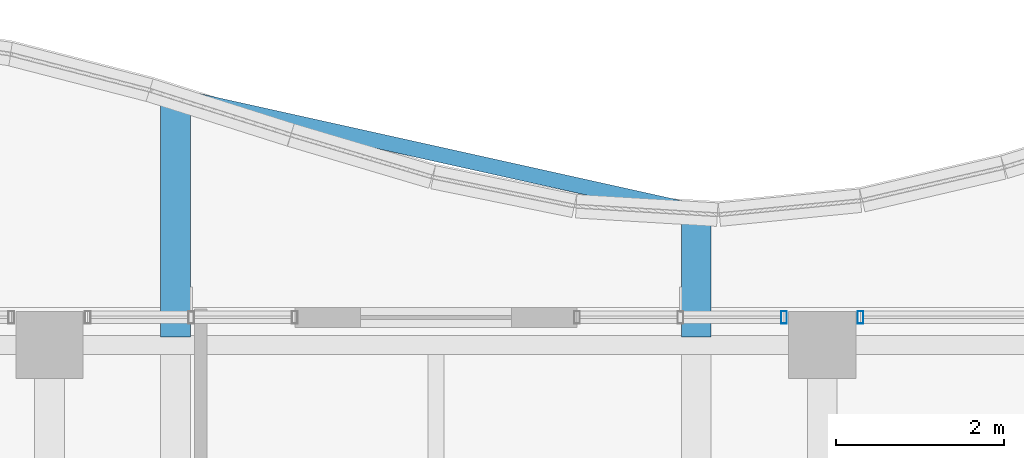
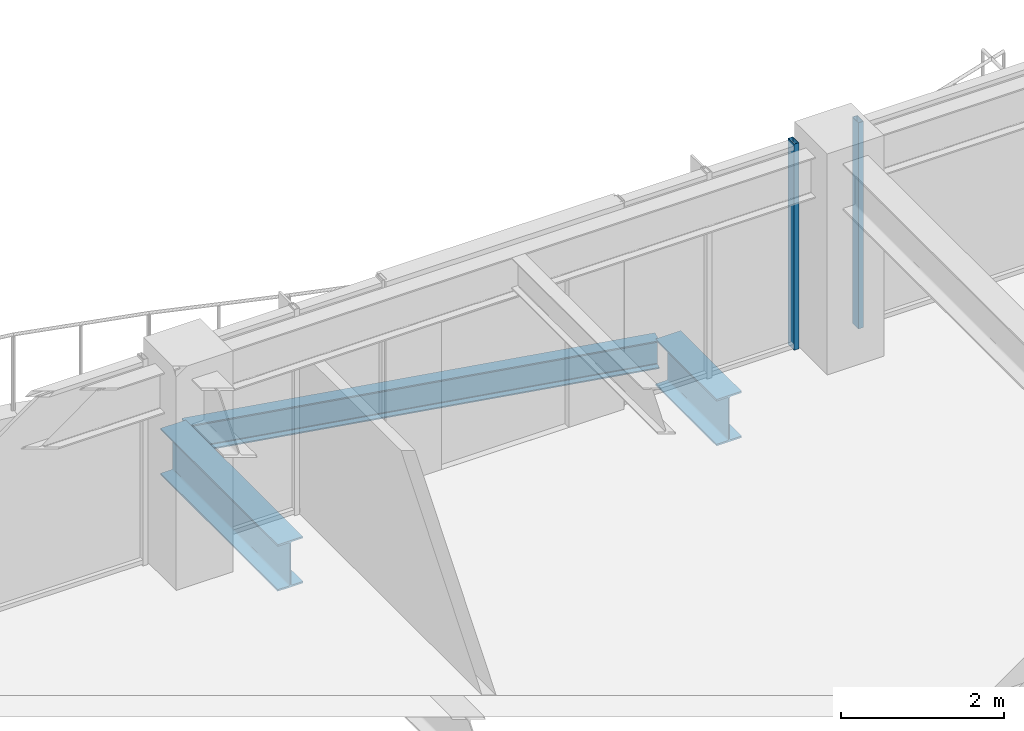
# One storey, part 18 of 36: 3 beams, 2 members, 2 elements without a shape of their own.
"""IFC4 building model written with IfcOpenShell, lengths in metres."""

from ifc_helpers import new_model, si_unit, direction, frame, origin, origin_2d, place, context, subcontext, project, spatial, hollow_rectangle, i_section, extrude, material, material_profile, profile_set, type_object, element, aggregate, save


model = new_model("IFC4")

# Units and contexts
model_context = context("Model", 3, precision=1e-05, world=origin(), true_north=direction((0.0, 1.0)))
body_context = subcontext(model_context, "Body", "Model", "MODEL_VIEW")
ifc_project = project(units=[si_unit("LENGTHUNIT", "METRE"), si_unit("AREAUNIT", "SQUARE_METRE"), si_unit("VOLUMEUNIT", "CUBIC_METRE"), si_unit("PLANEANGLEUNIT", "RADIAN"), si_unit("MASSUNIT", "GRAM", prefix="KILO")], contexts=[model_context])

# Site, building, storey
site_placement = place(None, origin())
site = spatial("IfcSite", under=ifc_project, at=site_placement, CompositionType="ELEMENT")
building_placement = place(site_placement, origin())
building = spatial("IfcBuilding", under=site, at=building_placement, Name="Kolvaren Belvedere", CompositionType="ELEMENT")
storey_placement = place(building_placement, frame((0.0, 0.0, 193.199951171875)))
storey = spatial("IfcBuildingStorey", under=building, at=storey_placement, Name="L56", CompositionType="ELEMENT", Elevation=193.199951171875)

# Beams
ifc_material_1 = material(Name="Structural steel ASTM A992 Grade 50", Category="steel")
ifc_material_profile_1 = material_profile(ifc_material_1, i_section(OverallWidth=0.35498046875, OverallDepth=0.696044921875, WebThickness=0.015380859375, FlangeThickness=0.02490234375, FilletRadius=0.02197265625, at=origin_2d()), Name="W27X146")
ifc_profile_set_1 = profile_set([ifc_material_profile_1], Name="Structural steel ASTM A992 Grade 50")
beam_type_1 = type_object("IfcBeamType", Name="BM-CANT-BAL", PredefinedType="BEAM", material=ifc_profile_set_1)
beam_1_placement = place(storey_placement, frame((-3.10009765625, 20.044921875, -0.56787109375), z_axis=(0.0, 1.0, 0.0), x_axis=(-1.0, 0.0, 0.0)))
element("IfcBeam", 1, at=beam_1_placement, inside=storey, type_object=beam_type_1, Name="L56 Planted Balcony Cantilever BAL-N-1", PredefinedType="BEAM", context=body_context, shape_type="SweptSolid", body=[
    extrude(i_section(OverallWidth=0.35498046875, OverallDepth=0.696044921875, WebThickness=0.015380859375, FlangeThickness=0.02490234375, FilletRadius=0.02197265625, at=origin_2d()), origin(), (0.0, 0.0, 1.0), 2.8701171875),
])
beam_2_placement = place(storey_placement, frame((3.10009765625, 20.044921875, -0.56787109375), z_axis=(0.0, 1.0, 0.0), x_axis=(-1.0, 0.0, 0.0)))
element("IfcBeam", 2, at=beam_2_placement, inside=storey, type_object=beam_type_1, Name="L56 Planted Balcony Cantilever BAL-N-2", PredefinedType="BEAM", context=body_context, shape_type="SweptSolid", body=[
    extrude(i_section(OverallWidth=0.35498046875, OverallDepth=0.696044921875, WebThickness=0.015380859375, FlangeThickness=0.02490234375, FilletRadius=0.02197265625, at=origin_2d()), origin(), (0.0, 0.0, 1.0), 1.49267578125),
])
ifc_material_2 = material(Name="Structural steel ASTM A992 Grade 50", Category="steel")
ifc_material_profile_2 = material_profile(ifc_material_2, i_section(OverallWidth=0.180908203125, OverallDepth=0.4169921875, WebThickness=0.010986328125, FlangeThickness=0.018310546875, FilletRadius=0.013916015625, at=origin_2d()), Name="W16X57")
ifc_profile_set_2 = profile_set([ifc_material_profile_2], Name="Structural steel ASTM A992 Grade 50")
beam_type_2 = type_object("IfcBeamType", Name="BM-EDGE-W16X57", PredefinedType="BEAM", material=ifc_profile_set_2)
beam_3_placement = place(storey_placement, frame((-2.96337890625, 22.884765625, -0.428466796875), z_axis=(0.97620125078, -0.216866590272, 0.0), x_axis=(0.216866590272, 0.97620125078, 0.0)))
element("IfcBeam", 3, at=beam_3_placement, inside=storey, type_object=beam_type_2, Name="L56 Balcony Tip Header Beam BAL-N", PredefinedType="BEAM", context=body_context, shape_type="SweptSolid", body=[
    extrude(i_section(OverallWidth=0.180908203125, OverallDepth=0.4169921875, WebThickness=0.010986328125, FlangeThickness=0.018310546875, FilletRadius=0.013916015625, at=origin_2d()), origin(), (0.0, 0.0, 1.0), 6.0712890625),
])

# Curtain wall, member
ifc_material_3 = material(Name="Anodised pale-metal aluminium AA 6063-T6", Category="aluminium")
curtain_wall_type = type_object("IfcCurtainWallType", Name="CW-Z5-HIGH", PredefinedType="NOTDEFINED", material=ifc_material_3)
curtain_wall_1_placement = place(storey_placement, origin())
curtain_wall_1 = element("IfcCurtainWall", 4, at=curtain_wall_1_placement, inside=storey, type_object=curtain_wall_type, Name="L56 Unitised Curtain Wall FCW-L56-N2-B1", PredefinedType="NOTDEFINED")
ifc_material_4 = material(Name="Anodised pale-metal aluminium AA 6063-T6", Category="aluminium")
ifc_material_profile_3 = material_profile(ifc_material_4, hollow_rectangle(XDim=0.070068359375, YDim=0.14990234375, WallThickness=0.004150390625, at=origin_2d()), Name="ALU-MUL-150X70")
ifc_profile_set_3 = profile_set([ifc_material_profile_3], Name="Anodised pale-metal aluminium AA 6063-T6")
member_type = type_object("IfcMemberType", Name="CW-MUL-150", PredefinedType="MULLION", material=ifc_profile_set_3)
member_1_placement = place(storey_placement, frame((4.14501953125, 20.280029296875, 0.0), z_axis=(0.0, 0.0, 1.0), x_axis=(1.0, 0.0, 0.0)))
member_1 = element("IfcMember", 5, at=member_1_placement, type_object=member_type, Name="FCW-L56-N2-B1 Unitised Mullion 3", PredefinedType="MULLION", context=body_context, shape_type="SweptSolid", body=[
    extrude(hollow_rectangle(XDim=0.070068359375, YDim=0.14990234375, WallThickness=0.004150390625, at=origin_2d()), origin(), (0.0, 0.0, 1.0), 3.080078125),
])
aggregate(curtain_wall_1, [member_1])

curtain_wall_2_placement = place(storey_placement, origin())
curtain_wall_2 = element("IfcCurtainWall", 6, at=curtain_wall_2_placement, inside=storey, type_object=curtain_wall_type, Name="L56 Unitised Curtain Wall FCW-L56-N2-B2", PredefinedType="NOTDEFINED")
member_2_placement = place(storey_placement, frame((5.054931640625, 20.280029296875, 0.0), z_axis=(0.0, 0.0, 1.0), x_axis=(1.0, 0.0, 0.0)))
member_2 = element("IfcMember", 7, at=member_2_placement, type_object=member_type, Name="FCW-L56-N2-B2 Unitised Mullion 1", PredefinedType="MULLION", context=body_context, shape_type="SweptSolid", body=[
    extrude(hollow_rectangle(XDim=0.070068359375, YDim=0.14990234375, WallThickness=0.004150390625, at=origin_2d()), origin(), (0.0, 0.0, 1.0), 3.080078125),
])
aggregate(curtain_wall_2, [member_2])

save(model, "model.ifc")
